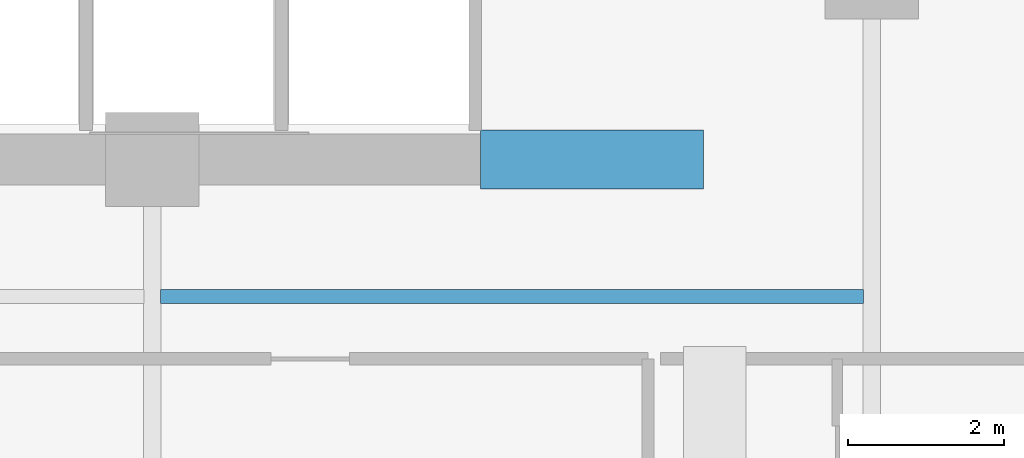
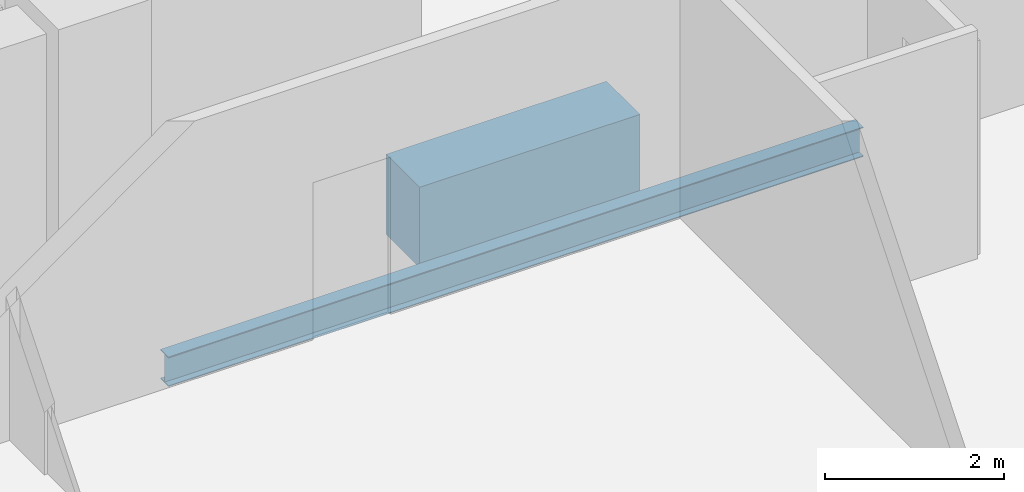
# One storey, part 12 of 33: 2 beams.
"""IFC4 building model written with IfcOpenShell, lengths in metres."""

from ifc_helpers import new_model, si_unit, direction, frame, origin, origin_2d, place, context, subcontext, project, spatial, rectangle, i_section, extrude, material, material_profile, profile_set, type_object, element, save


model = new_model("IFC4")

# Units and contexts
model_context = context("Model", 3, precision=1e-05, world=origin(), true_north=direction((0.0, 1.0)))
body_context = subcontext(model_context, "Body", "Model", "MODEL_VIEW")
ifc_project = project(units=[si_unit("LENGTHUNIT", "METRE"), si_unit("AREAUNIT", "SQUARE_METRE"), si_unit("VOLUMEUNIT", "CUBIC_METRE"), si_unit("PLANEANGLEUNIT", "RADIAN"), si_unit("MASSUNIT", "GRAM", prefix="KILO")], contexts=[model_context])

# Site, building, storey
site_placement = place(None, origin())
site = spatial("IfcSite", under=ifc_project, at=site_placement, CompositionType="ELEMENT")
building_placement = place(site_placement, origin())
building = spatial("IfcBuilding", under=site, at=building_placement, Name="Zuhayl Quay Hotel", CompositionType="ELEMENT")
storey_placement = place(building_placement, frame((0.0, 0.0, 211.14990234375)))
storey = spatial("IfcBuildingStorey", under=building, at=storey_placement, Name="L53", CompositionType="ELEMENT", Elevation=211.14990234375)

# Beams
ifc_material_1 = material(Name="Concrete C60/75", Category="concrete")
ifc_material_profile_1 = material_profile(ifc_material_1, rectangle(XDim=0.75, YDim=1.10009765625, at=origin_2d()), Name="RC750X1100")
ifc_profile_set_1 = profile_set([ifc_material_profile_1], Name="Concrete C60/75")
beam_type_1 = type_object("IfcBeamType", Name="BM_CB2_RC750", PredefinedType="T_BEAM", material=ifc_profile_set_1)
beam_1_placement = place(storey_placement, frame((8.800048828125, 2.14990234375, -0.77001953125), z_axis=(1.0, 0.0, 0.0), x_axis=(0.0, 1.0, 0.0)))
element("IfcBeam", 1, at=beam_1_placement, inside=storey, type_object=beam_type_1, Name="L53 Core Coupling Beam SE", PredefinedType="T_BEAM", context=body_context, shape_type="SweptSolid", body=[
    extrude(rectangle(XDim=0.75, YDim=1.10009765625, at=origin_2d()), origin(), (0.0, 0.0, 1.0), 2.849853515625),
])
ifc_material_2 = material(Name="Steel ASTM A992 Grade 50", Category="steel")
ifc_material_profile_2 = material_profile(ifc_material_2, i_section(OverallWidth=0.177978515625, OverallDepth=0.406005859375, WebThickness=0.0078125, FlangeThickness=0.0126953125, at=origin_2d()), Name="W16X40")
ifc_profile_set_2 = profile_set([ifc_material_profile_2], Name="Steel ASTM A992 Grade 50")
beam_type_2 = type_object("IfcBeamType", Name="BM_J2B_W16X40", PredefinedType="JOIST", material=ifc_profile_set_2)
beam_2_placement = place(storey_placement, frame((4.7060546875, 0.39990234375, -0.4228515625), z_axis=(1.0, 0.0, 0.0), x_axis=(0.0, 1.0, 0.0)))
element("IfcBeam", 2, at=beam_2_placement, inside=storey, type_object=beam_type_2, Name="L53 Floor Beam FJ_L53_8_3", PredefinedType="JOIST", context=body_context, shape_type="SweptSolid", body=[
    extrude(i_section(OverallWidth=0.177978515625, OverallDepth=0.406005859375, WebThickness=0.0078125, FlangeThickness=0.0126953125, at=origin_2d()), origin(), (0.0, 0.0, 1.0), 8.988037109375),
])

save(model, "model.ifc")
